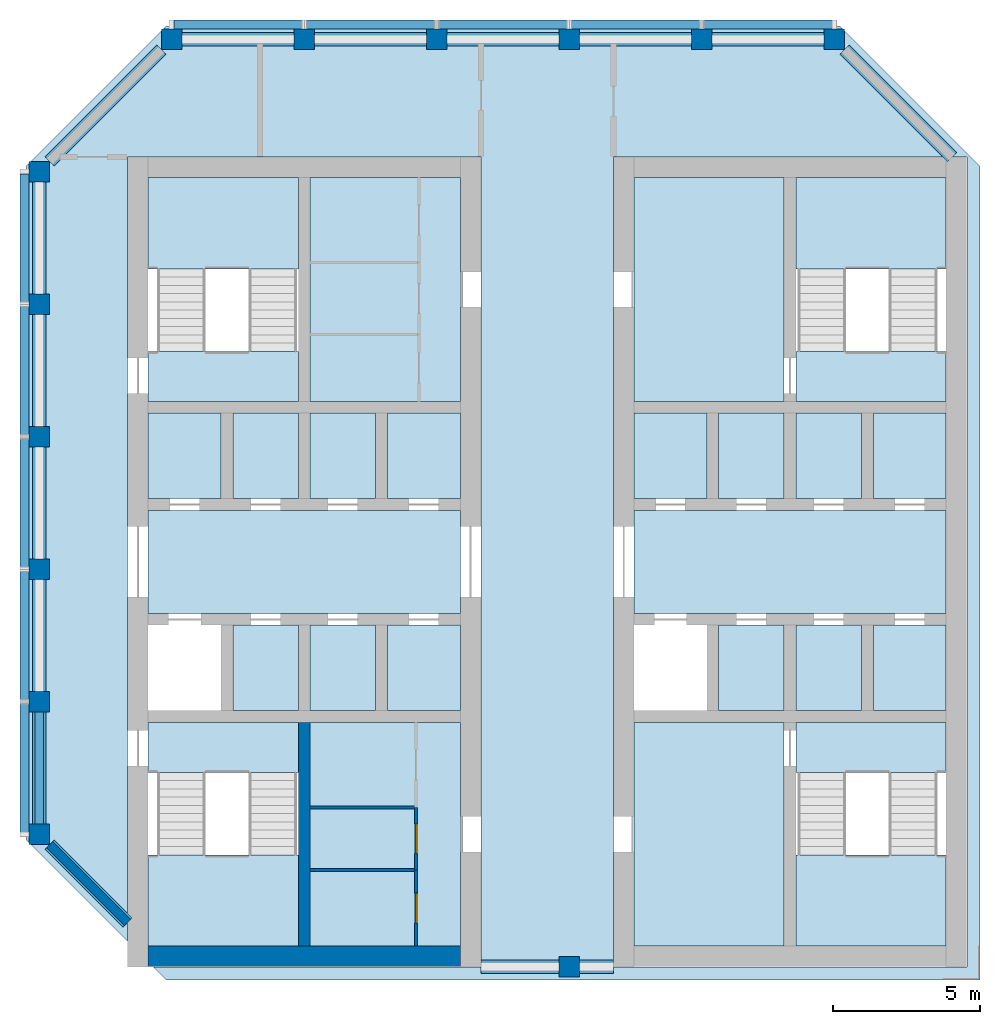
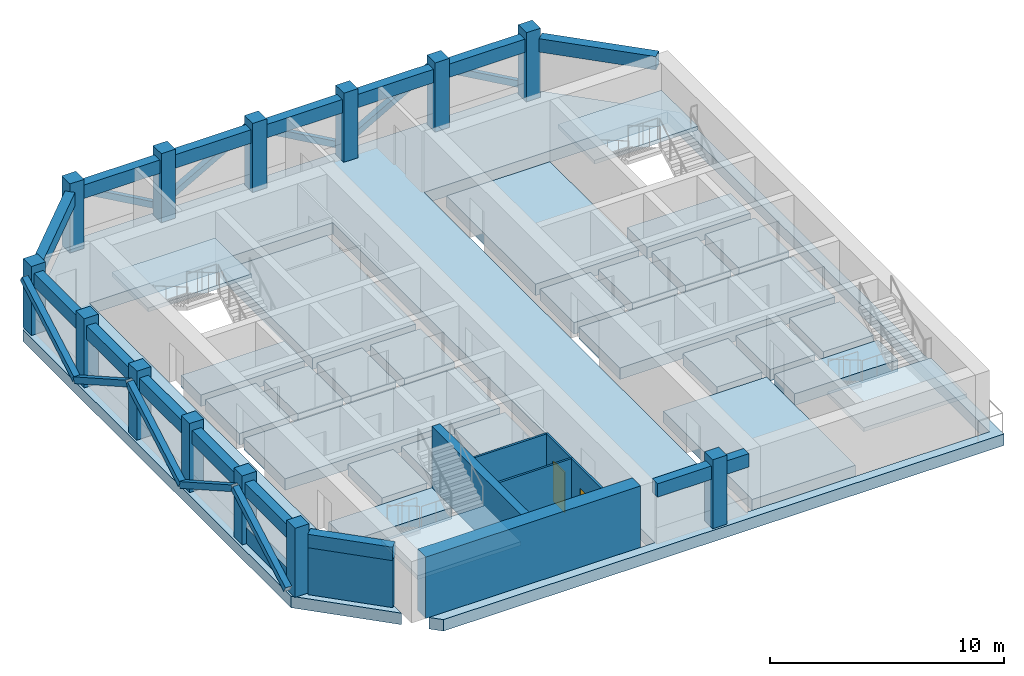
# One storey, part 1 of 5: 29 slabs, 15 beams, 13 columns, 10 members, 8 walls, 2 doors, 2 openings, 4 elements without a shape of their own.
"""IFC4 building model written with IfcOpenShell, lengths in metres."""

from ifc_helpers import new_model, si_unit, direction, frame, frame_2d, origin, origin_2d, place, context, subcontext, project, spatial, polyline, rectangle, hollow_rectangle, outline, extrude, material, layer, layer_set, material_profile, profile_set, type_object, element, fill, aggregate, save


model = new_model("IFC4")

# Units and contexts
model_context = context("Model", 3, precision=1e-05, world=origin(), true_north=direction((0.0, 1.0)))
body_context = subcontext(model_context, "Body", "Model", "MODEL_VIEW")
ifc_project = project(units=[si_unit("LENGTHUNIT", "METRE"), si_unit("AREAUNIT", "SQUARE_METRE"), si_unit("VOLUMEUNIT", "CUBIC_METRE"), si_unit("PLANEANGLEUNIT", "RADIAN"), si_unit("MASSUNIT", "GRAM", prefix="KILO")], contexts=[model_context])

# Site, building, storey
site_placement = place(None, origin())
site = spatial("IfcSite", under=ifc_project, at=site_placement, CompositionType="ELEMENT")
building_placement = place(site_placement, origin())
building = spatial("IfcBuilding", under=site, at=building_placement, Name="Corbel Stack Research Tower", CompositionType="ELEMENT")
storey_placement = place(building_placement, frame((0.0, 0.0, 326.199951171875)))
storey = spatial("IfcBuildingStorey", under=building, at=storey_placement, Name="L73", CompositionType="ELEMENT", Elevation=326.199951171875)

# Columns
ifc_material_1 = material(Name="Concrete C60/75", Category="concrete")
ifc_material_profile_1 = material_profile(ifc_material_1, rectangle(XDim=0.699951171875, YDim=0.699951171875, at=origin_2d()), Name="RC 700 x 700")
ifc_profile_set_1 = profile_set([ifc_material_profile_1], Name="Concrete C60/75")
column_type = type_object("IfcColumnType", Name="C-700-60", PredefinedType="COLUMN", material=ifc_profile_set_1)
for number, where, z_axis, x_axis, name in (
    (1, (-13.5, -4.5, 0.0), (0.0, 0.0, 1.0), (1.0, 0.0, 0.0), "Column 5/G L73"),
    (2, (-13.5, 0.0, 0.0), (0.0, 0.0, 1.0), (1.0, 0.0, 0.0), "Column 5/H L73"),
    (3, (-13.5, 4.5, 0.0), (0.0, 0.0, 1.0), (1.0, 0.0, 0.0), "Column 5/J L73"),
    (4, (-13.5, 9.0, 0.0), (0.0, 0.0, 1.0), (1.0, 0.0, 0.0), "Column 5/K L73"),
    (5, (-13.5, 13.5, 0.0), (0.0, 0.0, 1.0), (1.0, 0.0, 0.0), "Column 5/L L73"),
    (6, (-13.5, 18.0, 0.0), (0.0, 0.0, 1.0), (1.0, 0.0, 0.0), "Column 5/M L73"),
    (7, (-9.0, 22.5, 0.0), (0.0, 0.0, 1.0), (1.0, 0.0, 0.0), "Column 6/N L73"),
    (8, (-4.5, 22.5, 0.0), (0.0, 0.0, 1.0), (1.0, 0.0, 0.0), "Column 7/N L73"),
    (9, (0.0, 22.5, 0.0), (0.0, 0.0, 1.0), (1.0, 0.0, 0.0), "Column 8/N L73"),
    (10, (4.5, -9.0, 0.0), (0.0, 0.0, 1.0), (1.0, 0.0, 0.0), "Column 9/F L73"),
    (11, (4.5, 22.5, 0.0), (0.0, 0.0, 1.0), (1.0, 0.0, 0.0), "Column 9/N L73"),
    (12, (9.0, 22.5, 0.0), (0.0, 0.0, 1.0), (1.0, 0.0, 0.0), "Column 10/N L73"),
    (13, (13.5, 22.5, 0.0), (0.0, 0.0, 1.0), (1.0, 0.0, 0.0), "Column 11/N L73"),
):
    element("IfcColumn", number, at=place(storey_placement, frame(where, z_axis=z_axis, x_axis=x_axis)), inside=storey, type_object=column_type, Name=name, PredefinedType="COLUMN", context=body_context, shape_type="SweptSolid", body=[
        extrude(rectangle(XDim=0.699951171875, YDim=0.699951171875, at=origin_2d()), origin(), (0.0, 0.0, 1.0), 3.60009765625),
    ])

# Members
ifc_material_2 = material(Name="Steel S355", Category="steel")
ifc_material_profile_2 = material_profile(ifc_material_2, hollow_rectangle(XDim=0.304931640625, YDim=0.304931640625, WallThickness=0.014892578125, at=origin_2d()), Name="HSS12x12x5/8")
ifc_profile_set_2 = profile_set([ifc_material_profile_2], Name="Steel S355")
member_type = type_object("IfcMemberType", Name="Crown belt brace HSS12x12x5/8", PredefinedType="BRACE", material=ifc_profile_set_2)
for number, where, z_axis, x_axis, name in (
    (14, (13.5, 23.00244140625, 0.300048828125), (-0.870018136573, 0.0, 0.493019717692), (0.0, -1.0, 0.0), "Crown belt brace L73-01"),
    (15, (4.5, 23.00244140625, 0.300048828125), (0.870018136573, 0.0, 0.493019717692), (0.0, 1.0, 0.0), "Crown belt brace L73-02"),
    (16, (4.5, 23.00244140625, 0.300048828125), (-0.870018136573, 0.0, 0.493019717692), (0.0, -1.0, 0.0), "Crown belt brace L73-03"),
    (17, (-4.5, 23.00244140625, 0.300048828125), (0.870018136573, 0.0, 0.493019717692), (0.0, 1.0, 0.0), "Crown belt brace L73-04"),
    (18, (-4.5, 23.00244140625, 0.300048828125), (-0.870018136573, 0.0, 0.493019717692), (0.0, -1.0, 0.0), "Crown belt brace L73-05"),
    (19, (-14.00244140625, 13.5, 0.300048828125), (0.0, 0.870018136573, 0.493019717692), (-1.0, 0.0, 0.0), "Crown belt brace L73-06"),
    (20, (-14.00244140625, 13.5, 0.300048828125), (0.0, -0.870018136573, 0.493019717692), (1.0, 0.0, 0.0), "Crown belt brace L73-07"),
    (21, (-14.00244140625, 4.5, 0.300048828125), (0.0, 0.870018136573, 0.493019717692), (-1.0, 0.0, 0.0), "Crown belt brace L73-08"),
    (22, (-14.00244140625, 4.5, 0.300048828125), (0.0, -0.870018136573, 0.493019717692), (1.0, 0.0, 0.0), "Crown belt brace L73-09"),
    (23, (-14.00244140625, -4.5, 0.300048828125), (0.0, 0.870018136573, 0.493019717692), (-1.0, 0.0, 0.0), "Crown belt brace L73-10"),
):
    element("IfcMember", number, at=place(storey_placement, frame(where, z_axis=z_axis, x_axis=x_axis)), inside=storey, type_object=member_type, Name=name, PredefinedType="BRACE", context=body_context, shape_type="SweptSolid", body=[
        extrude(hollow_rectangle(XDim=0.304931640625, YDim=0.304931640625, WallThickness=0.014892578125, at=origin_2d()), origin(), (0.0, 0.0, 1.0), 5.17236328125),
    ])

# Beams
ifc_material_3 = material(Name="Concrete C60/75", Category="concrete")
ifc_material_profile_3 = material_profile(ifc_material_3, rectangle(XDim=0.449951171875, YDim=0.699951171875, at=origin_2d()), Name="RC 450 x 700")
ifc_profile_set_3 = profile_set([ifc_material_profile_3], Name="Concrete C60/75")
beam_type = type_object("IfcBeamType", Name="SB-450-700", PredefinedType="SPANDREL", material=ifc_profile_set_3)
beam_1_placement = place(storey_placement, frame((1.5, -9.0, 2.85009765625), z_axis=(1.0, 0.0, 0.0), x_axis=(0.0, 1.0, 0.0)))
element("IfcBeam", 24, at=beam_1_placement, inside=storey, type_object=beam_type, Name="Spandrel beam L73-01", PredefinedType="SPANDREL", context=body_context, shape_type="SweptSolid", body=[
    extrude(rectangle(XDim=0.449951171875, YDim=0.699951171875, at=origin_2d()), origin(), (0.0, 0.0, 1.0), 2.64990234375),
])
beam_2_placement = place(storey_placement, frame((4.85009765625, -9.0, 2.85009765625), z_axis=(1.0, 0.0, 0.0), x_axis=(0.0, 1.0, 0.0)))
element("IfcBeam", 25, at=beam_2_placement, inside=storey, type_object=beam_type, Name="Spandrel beam L73-02", PredefinedType="SPANDREL", context=body_context, shape_type="SweptSolid", body=[
    extrude(rectangle(XDim=0.449951171875, YDim=0.699951171875, at=origin_2d()), origin(), (0.0, 0.0, 1.0), 1.14990234375),
])
beam_3_placement = place(storey_placement, frame((17.5, 18.5, 2.85009765625), z_axis=(-0.707106781187, 0.707106781187, 0.0), x_axis=(-0.707106781187, -0.707106781187, 0.0)))
element("IfcBeam", 26, at=beam_3_placement, inside=storey, type_object=beam_type, Name="Spandrel beam L73-03", PredefinedType="SPANDREL", context=body_context, shape_type="SweptSolid", body=[
    extrude(rectangle(XDim=0.449951171875, YDim=0.699951171875, at=origin_2d()), origin(), (0.0, 0.0, 1.0), 5.16162109375),
])
for number, where, z_axis, x_axis, name in (
    (27, (13.14990234375, 22.5, 2.85009765625), (-1.0, 0.0, 0.0), (0.0, -1.0, 0.0), "Spandrel beam L73-04"),
    (28, (8.64990234375, 22.5, 2.85009765625), (-1.0, 0.0, 0.0), (0.0, -1.0, 0.0), "Spandrel beam L73-05"),
    (29, (4.14990234375, 22.5, 2.85009765625), (-1.0, 0.0, 0.0), (0.0, -1.0, 0.0), "Spandrel beam L73-06"),
    (30, (-0.35009765625, 22.5, 2.85009765625), (-1.0, 0.0, 0.0), (0.0, -1.0, 0.0), "Spandrel beam L73-07"),
    (31, (-4.85009765625, 22.5, 2.85009765625), (-1.0, 0.0, 0.0), (0.0, -1.0, 0.0), "Spandrel beam L73-08"),
):
    element("IfcBeam", number, at=place(storey_placement, frame(where, z_axis=z_axis, x_axis=x_axis)), inside=storey, type_object=beam_type, Name=name, PredefinedType="SPANDREL", context=body_context, shape_type="SweptSolid", body=[
        extrude(rectangle(XDim=0.449951171875, YDim=0.699951171875, at=origin_2d()), origin(), (0.0, 0.0, 1.0), 3.7998046875),
    ])
beam_4_placement = place(storey_placement, frame((-9.35009765625, 22.14990234375, 2.85009765625), z_axis=(-0.707106781187, -0.707106781187, 0.0), x_axis=(0.707106781187, -0.707106781187, 0.0)))
element("IfcBeam", 32, at=beam_4_placement, inside=storey, type_object=beam_type, Name="Spandrel beam L73-09", PredefinedType="SPANDREL", context=body_context, shape_type="SweptSolid", body=[
    extrude(rectangle(XDim=0.449951171875, YDim=0.699951171875, at=origin_2d()), origin(), (0.0, 0.0, 1.0), 5.373779296875),
])
for number, where, z_axis, x_axis, name in (
    (33, (-13.5, 17.64990234375, 2.85009765625), (0.0, -1.0, 0.0), (1.0, 0.0, 0.0), "Spandrel beam L73-10"),
    (34, (-13.5, 13.14990234375, 2.85009765625), (0.0, -1.0, 0.0), (1.0, 0.0, 0.0), "Spandrel beam L73-11"),
    (35, (-13.5, 8.64990234375, 2.85009765625), (0.0, -1.0, 0.0), (1.0, 0.0, 0.0), "Spandrel beam L73-12"),
    (36, (-13.5, 4.14990234375, 2.85009765625), (0.0, -1.0, 0.0), (1.0, 0.0, 0.0), "Spandrel beam L73-13"),
    (37, (-13.5, -0.35009765625, 2.85009765625), (0.0, -1.0, 0.0), (1.0, 0.0, 0.0), "Spandrel beam L73-14"),
):
    element("IfcBeam", number, at=place(storey_placement, frame(where, z_axis=z_axis, x_axis=x_axis)), inside=storey, type_object=beam_type, Name=name, PredefinedType="SPANDREL", context=body_context, shape_type="SweptSolid", body=[
        extrude(rectangle(XDim=0.449951171875, YDim=0.699951171875, at=origin_2d()), origin(), (0.0, 0.0, 1.0), 3.7998046875),
    ])
beam_5_placement = place(storey_placement, frame((-13.14990234375, -4.85009765625, 2.85009765625), z_axis=(0.707106781187, -0.707106781187, 0.0), x_axis=(0.707106781187, 0.707106781187, 0.0)))
element("IfcBeam", 38, at=beam_5_placement, inside=storey, type_object=beam_type, Name="Spandrel beam L73-15", PredefinedType="SPANDREL", context=body_context, shape_type="SweptSolid", body=[
    extrude(rectangle(XDim=0.449951171875, YDim=0.699951171875, at=origin_2d()), origin(), (0.0, 0.0, 1.0), 3.74755859375),
])

# Slabs
ifc_material_4 = material(Name="Concrete C45/55", Category="concrete")
ifc_layer_1 = layer(ifc_material_4, 0.60009765625)
ifc_layer_set_1 = layer_set([ifc_layer_1], Name="Concrete C45/55")
slab_type_1 = type_object("IfcSlabType", Name="PT-600", PredefinedType="FLOOR", material=ifc_layer_set_1)
slab_1_placement = place(storey_placement, frame((0.0, 0.0, -0.599853515625)))
element("IfcSlab", 39, at=slab_1_placement, inside=storey, type_object=slab_type_1, Name="Floor slab L73", PredefinedType="FLOOR", context=body_context, shape_type="SweptSolid", body=[
    extrude(outline(polyline([(-10.5, -8.136474609375), (-10.5, 18.5), (1.5, 18.5), (1.5, -9.0), (-9.636474609375, -9.0), (-9.186279296875, -9.449951171875), (18.449951171875, -9.449951171875), (18.449951171875, 18.186279296875), (13.686279296875, 22.949951171875), (-9.186279296875, 22.949951171875), (-13.949951171875, 18.186279296875), (-13.949951171875, -4.686279296875), (-10.5, -8.136474609375)]), holes=[polyline([(6.0, -9.0), (6.0, 18.5), (18.0, 18.5), (18.0, -9.0), (6.0, -9.0)])]), origin(), (0.0, 0.0, 1.0), 0.599853515625),
])
slab_2_placement = place(storey_placement, frame((0.0, 0.0, -0.599853515625)))
element("IfcSlab", 40, at=slab_2_placement, inside=storey, type_object=slab_type_1, Name="West core floor L73", PredefinedType="FLOOR", context=body_context, shape_type="SweptSolid", body=[
    extrude(outline(polyline([(-9.800048828125, 6.5), (-9.800048828125, 3.0), (0.800048828125, 3.0), (0.800048828125, 6.5), (-9.800048828125, 6.5)])), origin(), (0.0, 0.0, 1.0), 0.599853515625),
])
slab_3_placement = place(storey_placement, frame((0.0, 0.0, -0.599853515625)))
element("IfcSlab", 41, at=slab_3_placement, inside=storey, type_object=slab_type_1, Name="West core floor L73", PredefinedType="FLOOR", context=body_context, shape_type="SweptSolid", body=[
    extrude(outline(polyline([(-9.800048828125, 6.89990234375), (-7.324951171875, 6.89990234375), (-7.324951171875, 9.800048828125), (-9.800048828125, 9.800048828125), (-9.800048828125, 6.89990234375)])), origin(), (0.0, 0.0, 1.0), 0.599853515625),
])
slab_4_placement = place(storey_placement, frame((0.0, 0.0, -0.599853515625)))
element("IfcSlab", 42, at=slab_4_placement, inside=storey, type_object=slab_type_1, Name="West core floor L73", PredefinedType="FLOOR", context=body_context, shape_type="SweptSolid", body=[
    extrude(outline(polyline([(-6.925048828125, 2.60009765625), (-6.925048828125, -0.300048828125), (-4.699951171875, -0.300048828125), (-4.699951171875, 2.60009765625), (-6.925048828125, 2.60009765625)])), origin(), (0.0, 0.0, 1.0), 0.599853515625),
])
slab_5_placement = place(storey_placement, frame((0.0, 0.0, -0.599853515625)))
element("IfcSlab", 43, at=slab_5_placement, inside=storey, type_object=slab_type_1, Name="West core floor L73", PredefinedType="FLOOR", context=body_context, shape_type="SweptSolid", body=[
    extrude(outline(polyline([(-6.925048828125, 6.89990234375), (-4.699951171875, 6.89990234375), (-4.699951171875, 9.800048828125), (-6.925048828125, 9.800048828125), (-6.925048828125, 6.89990234375)])), origin(), (0.0, 0.0, 1.0), 0.599853515625),
])
slab_6_placement = place(storey_placement, frame((0.0, 0.0, -0.599853515625)))
element("IfcSlab", 44, at=slab_6_placement, inside=storey, type_object=slab_type_1, Name="West core floor L73", PredefinedType="FLOOR", context=body_context, shape_type="SweptSolid", body=[
    extrude(outline(polyline([(-4.300048828125, -0.699951171875), (-4.300048828125, -8.300048828125), (0.800048828125, -8.300048828125), (0.800048828125, -0.699951171875), (-4.300048828125, -0.699951171875)])), origin(), (0.0, 0.0, 1.0), 0.599853515625),
])
slab_7_placement = place(storey_placement, frame((0.0, 0.0, -0.599853515625)))
element("IfcSlab", 45, at=slab_7_placement, inside=storey, type_object=slab_type_1, Name="West core floor L73", PredefinedType="FLOOR", context=body_context, shape_type="SweptSolid", body=[
    extrude(outline(polyline([(-4.300048828125, 2.60009765625), (-4.300048828125, -0.300048828125), (-2.074951171875, -0.300048828125), (-2.074951171875, 2.60009765625), (-4.300048828125, 2.60009765625)])), origin(), (0.0, 0.0, 1.0), 0.599853515625),
])
slab_8_placement = place(storey_placement, frame((0.0, 0.0, -0.599853515625)))
element("IfcSlab", 46, at=slab_8_placement, inside=storey, type_object=slab_type_1, Name="West core floor L73", PredefinedType="FLOOR", context=body_context, shape_type="SweptSolid", body=[
    extrude(outline(polyline([(-2.074951171875, 6.89990234375), (-2.074951171875, 9.800048828125), (-4.300048828125, 9.800048828125), (-4.300048828125, 6.89990234375), (-2.074951171875, 6.89990234375)])), origin(), (0.0, 0.0, 1.0), 0.599853515625),
])
slab_9_placement = place(storey_placement, frame((0.0, 0.0, -0.599853515625)))
element("IfcSlab", 47, at=slab_9_placement, inside=storey, type_object=slab_type_1, Name="West core floor L73", PredefinedType="FLOOR", context=body_context, shape_type="SweptSolid", body=[
    extrude(outline(polyline([(-4.300048828125, 17.800048828125), (-4.300048828125, 10.199951171875), (0.800048828125, 10.199951171875), (0.800048828125, 17.800048828125), (-4.300048828125, 17.800048828125)])), origin(), (0.0, 0.0, 1.0), 0.599853515625),
])
slab_10_placement = place(storey_placement, frame((0.0, 0.0, -0.599853515625)))
element("IfcSlab", 48, at=slab_10_placement, inside=storey, type_object=slab_type_1, Name="West core floor L73", PredefinedType="FLOOR", context=body_context, shape_type="SweptSolid", body=[
    extrude(outline(polyline([(-1.675048828125, 2.60009765625), (-1.675048828125, -0.300048828125), (0.800048828125, -0.300048828125), (0.800048828125, 2.60009765625), (-1.675048828125, 2.60009765625)])), origin(), (0.0, 0.0, 1.0), 0.599853515625),
])
slab_11_placement = place(storey_placement, frame((0.0, 0.0, -0.599853515625)))
element("IfcSlab", 49, at=slab_11_placement, inside=storey, type_object=slab_type_1, Name="West core floor L73", PredefinedType="FLOOR", context=body_context, shape_type="SweptSolid", body=[
    extrude(outline(polyline([(0.800048828125, 6.89990234375), (0.800048828125, 9.800048828125), (-1.675048828125, 9.800048828125), (-1.675048828125, 6.89990234375), (0.800048828125, 6.89990234375)])), origin(), (0.0, 0.0, 1.0), 0.599853515625),
])
slab_12_placement = place(storey_placement, frame((0.0, 0.0, -0.599853515625)))
element("IfcSlab", 50, at=slab_12_placement, inside=storey, type_object=slab_type_1, Name="East core floor L73", PredefinedType="FLOOR", context=body_context, shape_type="SweptSolid", body=[
    extrude(outline(polyline([(6.699951171875, -8.300048828125), (11.800048828125, -8.300048828125), (11.800048828125, -0.699951171875), (6.699951171875, -0.699951171875), (6.699951171875, -8.300048828125)])), origin(), (0.0, 0.0, 1.0), 0.599853515625),
])
slab_13_placement = place(storey_placement, frame((0.0, 0.0, -0.599853515625)))
element("IfcSlab", 51, at=slab_13_placement, inside=storey, type_object=slab_type_1, Name="East core floor L73", PredefinedType="FLOOR", context=body_context, shape_type="SweptSolid", body=[
    extrude(outline(polyline([(6.699951171875, 3.0), (17.300048828125, 3.0), (17.300048828125, 6.5), (6.699951171875, 6.5), (6.699951171875, 3.0)])), origin(), (0.0, 0.0, 1.0), 0.599853515625),
])
slab_14_placement = place(storey_placement, frame((0.0, 0.0, -0.599853515625)))
element("IfcSlab", 52, at=slab_14_placement, inside=storey, type_object=slab_type_1, Name="East core floor L73", PredefinedType="FLOOR", context=body_context, shape_type="SweptSolid", body=[
    extrude(outline(polyline([(6.699951171875, 6.89990234375), (9.175048828125, 6.89990234375), (9.175048828125, 9.800048828125), (6.699951171875, 9.800048828125), (6.699951171875, 6.89990234375)])), origin(), (0.0, 0.0, 1.0), 0.599853515625),
])
slab_15_placement = place(storey_placement, frame((0.0, 0.0, -0.599853515625)))
element("IfcSlab", 53, at=slab_15_placement, inside=storey, type_object=slab_type_1, Name="East core floor L73", PredefinedType="FLOOR", context=body_context, shape_type="SweptSolid", body=[
    extrude(outline(polyline([(6.699951171875, 10.199951171875), (11.800048828125, 10.199951171875), (11.800048828125, 17.800048828125), (6.699951171875, 17.800048828125), (6.699951171875, 10.199951171875)])), origin(), (0.0, 0.0, 1.0), 0.599853515625),
])
slab_16_placement = place(storey_placement, frame((0.0, 0.0, -0.599853515625)))
element("IfcSlab", 54, at=slab_16_placement, inside=storey, type_object=slab_type_1, Name="East core floor L73", PredefinedType="FLOOR", context=body_context, shape_type="SweptSolid", body=[
    extrude(outline(polyline([(9.574951171875, 2.60009765625), (9.574951171875, -0.300048828125), (11.800048828125, -0.300048828125), (11.800048828125, 2.60009765625), (9.574951171875, 2.60009765625)])), origin(), (0.0, 0.0, 1.0), 0.599853515625),
])
slab_17_placement = place(storey_placement, frame((0.0, 0.0, -0.599853515625)))
element("IfcSlab", 55, at=slab_17_placement, inside=storey, type_object=slab_type_1, Name="East core floor L73", PredefinedType="FLOOR", context=body_context, shape_type="SweptSolid", body=[
    extrude(outline(polyline([(9.574951171875, 6.89990234375), (11.800048828125, 6.89990234375), (11.800048828125, 9.800048828125), (9.574951171875, 9.800048828125), (9.574951171875, 6.89990234375)])), origin(), (0.0, 0.0, 1.0), 0.599853515625),
])
slab_18_placement = place(storey_placement, frame((0.0, 0.0, -0.599853515625)))
element("IfcSlab", 56, at=slab_18_placement, inside=storey, type_object=slab_type_1, Name="East core floor L73", PredefinedType="FLOOR", context=body_context, shape_type="SweptSolid", body=[
    extrude(outline(polyline([(12.199951171875, 2.60009765625), (12.199951171875, -0.300048828125), (14.425048828125, -0.300048828125), (14.425048828125, 2.60009765625), (12.199951171875, 2.60009765625)])), origin(), (0.0, 0.0, 1.0), 0.599853515625),
])
slab_19_placement = place(storey_placement, frame((0.0, 0.0, -0.599853515625)))
element("IfcSlab", 57, at=slab_19_placement, inside=storey, type_object=slab_type_1, Name="East core floor L73", PredefinedType="FLOOR", context=body_context, shape_type="SweptSolid", body=[
    extrude(outline(polyline([(14.425048828125, 6.89990234375), (14.425048828125, 9.800048828125), (12.199951171875, 9.800048828125), (12.199951171875, 6.89990234375), (14.425048828125, 6.89990234375)])), origin(), (0.0, 0.0, 1.0), 0.599853515625),
])
slab_20_placement = place(storey_placement, frame((0.0, 0.0, -0.599853515625)))
element("IfcSlab", 58, at=slab_20_placement, inside=storey, type_object=slab_type_1, Name="East core floor L73", PredefinedType="FLOOR", context=body_context, shape_type="SweptSolid", body=[
    extrude(outline(polyline([(14.824951171875, 2.60009765625), (14.824951171875, -0.300048828125), (17.300048828125, -0.300048828125), (17.300048828125, 2.60009765625), (14.824951171875, 2.60009765625)])), origin(), (0.0, 0.0, 1.0), 0.599853515625),
])
slab_21_placement = place(storey_placement, frame((0.0, 0.0, -0.599853515625)))
element("IfcSlab", 59, at=slab_21_placement, inside=storey, type_object=slab_type_1, Name="East core floor L73", PredefinedType="FLOOR", context=body_context, shape_type="SweptSolid", body=[
    extrude(outline(polyline([(17.300048828125, 6.89990234375), (17.300048828125, 9.800048828125), (14.824951171875, 9.800048828125), (14.824951171875, 6.89990234375), (17.300048828125, 6.89990234375)])), origin(), (0.0, 0.0, 1.0), 0.599853515625),
])
slab_22_placement = place(storey_placement, frame((0.0, 0.0, -0.599853515625)))
element("IfcSlab", 60, at=slab_22_placement, inside=storey, type_object=slab_type_1, Name="Stair floor landing ST-W1", PredefinedType="FLOOR", context=body_context, shape_type="SweptSolid", body=[
    extrude(outline(polyline([(-9.800048828125, -2.39990234375), (-4.699951171875, -2.39990234375), (-4.699951171875, -0.699951171875), (-9.800048828125, -0.699951171875), (-9.800048828125, -2.39990234375)])), origin(), (0.0, 0.0, 1.0), 0.599853515625),
])
slab_23_placement = place(storey_placement, frame((0.0, 0.0, -0.599853515625)))
element("IfcSlab", 61, at=slab_23_placement, inside=storey, type_object=slab_type_1, Name="Stair floor landing ST-W2", PredefinedType="FLOOR", context=body_context, shape_type="SweptSolid", body=[
    extrude(outline(polyline([(-9.800048828125, 10.199951171875), (-4.699951171875, 10.199951171875), (-4.699951171875, 11.89990234375), (-9.800048828125, 11.89990234375), (-9.800048828125, 10.199951171875)])), origin(), (0.0, 0.0, 1.0), 0.599853515625),
])
slab_24_placement = place(storey_placement, frame((0.0, 0.0, -0.599853515625)))
element("IfcSlab", 62, at=slab_24_placement, inside=storey, type_object=slab_type_1, Name="Stair floor landing ST-E1", PredefinedType="FLOOR", context=body_context, shape_type="SweptSolid", body=[
    extrude(outline(polyline([(12.199951171875, -2.39990234375), (17.300048828125, -2.39990234375), (17.300048828125, -0.699951171875), (12.199951171875, -0.699951171875), (12.199951171875, -2.39990234375)])), origin(), (0.0, 0.0, 1.0), 0.599853515625),
])
slab_25_placement = place(storey_placement, frame((0.0, 0.0, -0.599853515625)))
element("IfcSlab", 63, at=slab_25_placement, inside=storey, type_object=slab_type_1, Name="Stair floor landing ST-E2", PredefinedType="FLOOR", context=body_context, shape_type="SweptSolid", body=[
    extrude(outline(polyline([(12.199951171875, 10.199951171875), (17.300048828125, 10.199951171875), (17.300048828125, 11.89990234375), (12.199951171875, 11.89990234375), (12.199951171875, 10.199951171875)])), origin(), (0.0, 0.0, 1.0), 0.599853515625),
])

# Stair, slab
ifc_material_5 = material(Name="Concrete C40/50", Category="concrete")
stair_type = type_object("IfcStairType", Name="Exit stair 22 risers", PredefinedType="HALF_TURN_STAIR", material=ifc_material_5)
stair_1_placement = place(storey_placement, origin())
stair_1 = element("IfcStair", 64, at=stair_1_placement, inside=storey, type_object=stair_type, Name="L73 Exit stair ST-W1", PredefinedType="HALF_TURN_STAIR")
ifc_material_6 = material(Name="Concrete C40/50", Category="concrete")
ifc_layer_2 = layer(ifc_material_6, 0.199951171875)
ifc_layer_set_2 = layer_set([ifc_layer_2], Name="Concrete C40/50")
slab_type_2 = type_object("IfcSlabType", Name="Stair landing 200 C40/50", PredefinedType="LANDING", material=ifc_layer_set_2)
slab_26_placement = place(storey_placement, frame((0.0, 0.0, 1.60009765625)))
slab_26 = element("IfcSlab", 65, at=slab_26_placement, type_object=slab_type_2, Name="ST-W1 landing 1", PredefinedType="LANDING", context=body_context, shape_type="SweptSolid", body=[
    extrude(outline(polyline([(-9.800048828125, -8.300048828125), (-9.800048828125, -5.199951171875), (-4.699951171875, -5.199951171875), (-4.699951171875, -8.300048828125), (-9.800048828125, -8.300048828125)])), origin(), (0.0, 0.0, 1.0), 0.199951171875),
])
aggregate(stair_1, [slab_26])

stair_2_placement = place(storey_placement, origin())
stair_2 = element("IfcStair", 66, at=stair_2_placement, inside=storey, type_object=stair_type, Name="L73 Exit stair ST-W2", PredefinedType="HALF_TURN_STAIR")
slab_27_placement = place(storey_placement, frame((0.0, 0.0, 1.60009765625)))
slab_27 = element("IfcSlab", 67, at=slab_27_placement, type_object=slab_type_2, Name="ST-W2 landing 1", PredefinedType="LANDING", context=body_context, shape_type="SweptSolid", body=[
    extrude(outline(polyline([(-9.800048828125, 14.699951171875), (-9.800048828125, 17.800048828125), (-4.699951171875, 17.800048828125), (-4.699951171875, 14.699951171875), (-9.800048828125, 14.699951171875)])), origin(), (0.0, 0.0, 1.0), 0.199951171875),
])
aggregate(stair_2, [slab_27])

stair_3_placement = place(storey_placement, origin())
stair_3 = element("IfcStair", 68, at=stair_3_placement, inside=storey, type_object=stair_type, Name="L73 Exit stair ST-E1", PredefinedType="HALF_TURN_STAIR")
slab_28_placement = place(storey_placement, frame((0.0, 0.0, 1.60009765625)))
slab_28 = element("IfcSlab", 69, at=slab_28_placement, type_object=slab_type_2, Name="ST-E1 landing 1", PredefinedType="LANDING", context=body_context, shape_type="SweptSolid", body=[
    extrude(outline(polyline([(12.199951171875, -8.300048828125), (12.199951171875, -5.199951171875), (17.300048828125, -5.199951171875), (17.300048828125, -8.300048828125), (12.199951171875, -8.300048828125)])), origin(), (0.0, 0.0, 1.0), 0.199951171875),
])
aggregate(stair_3, [slab_28])

stair_4_placement = place(storey_placement, origin())
stair_4 = element("IfcStair", 70, at=stair_4_placement, inside=storey, type_object=stair_type, Name="L73 Exit stair ST-E2", PredefinedType="HALF_TURN_STAIR")
slab_29_placement = place(storey_placement, frame((0.0, 0.0, 1.60009765625)))
slab_29 = element("IfcSlab", 71, at=slab_29_placement, type_object=slab_type_2, Name="ST-E2 landing 1", PredefinedType="LANDING", context=body_context, shape_type="SweptSolid", body=[
    extrude(outline(polyline([(12.199951171875, 14.699951171875), (12.199951171875, 17.800048828125), (17.300048828125, 17.800048828125), (17.300048828125, 14.699951171875), (12.199951171875, 14.699951171875)])), origin(), (0.0, 0.0, 1.0), 0.199951171875),
])
aggregate(stair_4, [slab_29])

# Walls
ifc_material_7 = material(Name="Concrete C60/75", Category="concrete")
ifc_layer_3 = layer(ifc_material_7, 0.39990234375)
ifc_layer_set_3 = layer_set([ifc_layer_3], Name="Concrete C60/75")
wall_type_1 = type_object("IfcWallType", Name="CW-400-60", PredefinedType="SHEAR", material=ifc_layer_set_3)
wall_1_placement = place(storey_placement, frame((-4.5, -8.300048828125, 0.0), z_axis=(0.0, 0.0, 1.0), x_axis=(0.0, 1.0, 0.0)))
element("IfcWall", 72, at=wall_1_placement, inside=storey, type_object=wall_type_1, Name="West core wall, south stair and WC L73", PredefinedType="SHEAR", context=body_context, shape_type="SweptSolid", body=[
    extrude(rectangle(XDim=7.60009765625, YDim=0.39990234375, at=frame_2d((3.800048828125, 0.0))), origin(), (0.0, 0.0, 1.0), 3.199951171875),
])
ifc_material_8 = material(Name="Concrete C60/75", Category="concrete")
ifc_layer_4 = layer(ifc_material_8, 0.699951171875)
ifc_layer_set_4 = layer_set([ifc_layer_4], Name="Concrete C60/75")
wall_type_2 = type_object("IfcWallType", Name="CW-700-60", PredefinedType="SHEAR", material=ifc_layer_set_4)
wall_2_placement = place(storey_placement, frame((-9.800048828125, -8.64990234375, 0.0), z_axis=(0.0, 0.0, 1.0), x_axis=(1.0, 0.0, 0.0)))
element("IfcWall", 73, at=wall_2_placement, inside=storey, type_object=wall_type_2, Name="West core wall, south end L73", PredefinedType="SHEAR", context=body_context, shape_type="SweptSolid", body=[
    extrude(rectangle(XDim=10.60009765625, YDim=0.699951171875, at=frame_2d((5.300048828125, 0.0))), origin(), (0.0, 0.0, 1.0), 3.199951171875),
])

# Wall, opening, door
ifc_material_9 = material(Name="Gypsum board")
ifc_layer_5 = layer(ifc_material_9, 0.10009765625)
ifc_layer_set_5 = layer_set([ifc_layer_5], Name="Gypsum board")
wall_type_3 = type_object("IfcWallType", Name="Core partition 100", PredefinedType="PARTITIONING", material=ifc_layer_set_5)
wall_3_placement = place(storey_placement, frame((-0.699951171875, -8.300048828125, 0.0), z_axis=(0.0, 0.0, 1.0), x_axis=(0.0, 1.0, 0.0)))
wall_3 = element("IfcWall", 74, at=wall_3_placement, inside=storey, type_object=wall_type_3, Name="Core partition W", PredefinedType="PARTITIONING", context=body_context, shape_type="SweptSolid", body=[
    extrude(rectangle(XDim=2.583984375, YDim=0.10009765625, at=frame_2d((1.2919921875, 0.0))), origin(), (0.0, 0.0, 1.0), 3.199951171875),
])
opening_1_placement = place(wall_3_placement, frame((0.7919921875, 0.0, 0.0)))
opening_1 = element("IfcOpeningElement", 75, at=opening_1_placement, cuts=wall_3, Name="Opening CR-W12-W2-1000", PredefinedType="OPENING", context=body_context, shape_type="SweptSolid", body=[
    extrude(rectangle(XDim=1.0, YDim=2.10009765625, at=frame_2d((0.5, 1.050048828125))), frame((0.0, 0.06005859375, 0.0), z_axis=(0.0, -1.0, 0.0), x_axis=(1.0, 0.0, 0.0)), (0.0, 0.0, 1.0), 0.1201171875),
])
ifc_material_10 = material(Name="Painted timber door", Category="wood")
door_type_1 = type_object("IfcDoorType", Name="WC door 1000 x 2100 right hand", OperationType="SINGLE_SWING_RIGHT", PredefinedType="DOOR", material=ifc_material_10)
door_1_placement = place(opening_1_placement, origin())
door_1 = element("IfcDoor", 76, at=door_1_placement, inside=storey, type_object=door_type_1, Name="Men's WC door W core", OperationType="SINGLE_SWING_RIGHT", OverallHeight=2.10009765625, OverallWidth=1.0, PredefinedType="DOOR", context=body_context, shape_type="SweptSolid", body=[
    extrude(rectangle(XDim=1.0, YDim=2.10009765625, at=frame_2d((0.5, 1.050048828125))), frame((0.0, 0.02490234375, 0.0), z_axis=(0.0, -1.0, 0.0), x_axis=(1.0, 0.0, 0.0)), (0.0, 0.0, 1.0), 0.050048828125),
])
fill(opening_1, door_1)

wall_4_placement = place(storey_placement, frame((-0.699951171875, -5.716064453125, 0.0), z_axis=(0.0, 0.0, 1.0), x_axis=(0.0, 1.0, 0.0)))
wall_4 = element("IfcWall", 77, at=wall_4_placement, inside=storey, type_object=wall_type_3, Name="Core partition W", PredefinedType="PARTITIONING", context=body_context, shape_type="SweptSolid", body=[
    extrude(rectangle(XDim=2.128173828125, YDim=0.10009765625, at=frame_2d((1.06396484375, 0.0))), origin(), (0.0, 0.0, 1.0), 3.199951171875),
])
opening_2_placement = place(wall_4_placement, frame((0.56396484375, 0.0, 0.0)))
opening_2 = element("IfcOpeningElement", 78, at=opening_2_placement, cuts=wall_4, Name="Opening CR-W12-W3-1000", PredefinedType="OPENING", context=body_context, shape_type="SweptSolid", body=[
    extrude(rectangle(XDim=1.0, YDim=2.10009765625, at=frame_2d((0.5, 1.050048828125))), frame((0.0, 0.06005859375, 0.0), z_axis=(0.0, -1.0, 0.0), x_axis=(1.0, 0.0, 0.0)), (0.0, 0.0, 1.0), 0.1201171875),
])
ifc_material_11 = material(Name="Painted timber door", Category="wood")
door_type_2 = type_object("IfcDoorType", Name="WC door 1000 x 2100 left hand", OperationType="SINGLE_SWING_LEFT", PredefinedType="DOOR", material=ifc_material_11)
door_2_placement = place(opening_2_placement, origin())
door_2 = element("IfcDoor", 79, at=door_2_placement, inside=storey, type_object=door_type_2, Name="Accessible WC door W core", OperationType="SINGLE_SWING_LEFT", OverallHeight=2.10009765625, OverallWidth=1.0, PredefinedType="DOOR", context=body_context, shape_type="SweptSolid", body=[
    extrude(rectangle(XDim=1.0, YDim=2.10009765625, at=frame_2d((0.5, 1.050048828125))), frame((0.0, 0.02490234375, 0.0), z_axis=(0.0, -1.0, 0.0), x_axis=(1.0, 0.0, 0.0)), (0.0, 0.0, 1.0), 0.050048828125),
])
fill(opening_2, door_2)

# Walls
for number, where, z_axis, x_axis, name in (
    (80, (-4.300048828125, -5.716064453125, 0.0), (0.0, 0.0, 1.0), (1.0, 0.0, 0.0), "Core partition W"),
    (81, (-4.300048828125, -3.587890625, 0.0), (0.0, 0.0, 1.0), (1.0, 0.0, 0.0), "Core partition W"),
):
    element("IfcWall", number, at=place(storey_placement, frame(where, z_axis=z_axis, x_axis=x_axis)), inside=storey, type_object=wall_type_3, Name=name, PredefinedType="PARTITIONING", context=body_context, shape_type="SweptSolid", body=[
        extrude(rectangle(XDim=3.60009765625, YDim=0.10009765625, at=frame_2d((1.800048828125, 0.0))), origin(), (0.0, 0.0, 1.0), 3.199951171875),
    ])
ifc_material_12 = material(Name="Concrete C45/55", Category="concrete")
ifc_layer_6 = layer(ifc_material_12, 0.300048828125)
ifc_layer_set_6 = layer_set([ifc_layer_6], Name="Concrete C45/55")
wall_type_4 = type_object("IfcWallType", Name="Precast plant wall 300 C45/55", PredefinedType="SOLIDWALL", material=ifc_layer_set_6)
wall_5_placement = place(storey_placement, frame((-13.5, -0.35009765625, 0.0), z_axis=(0.0, 0.0, 1.0), x_axis=(0.0, -1.0, 0.0)))
element("IfcWall", 82, at=wall_5_placement, inside=storey, type_object=wall_type_4, Name="Plant wall base L73-14", PredefinedType="SOLIDWALL", context=body_context, shape_type="SweptSolid", body=[
    extrude(rectangle(XDim=3.7998046875, YDim=0.300048828125, at=frame_2d((1.89990234375, 0.0))), origin(), (0.0, 0.0, 1.0), 0.85009765625),
])
wall_6_placement = place(storey_placement, frame((-13.14990234375, -4.85009765625, 0.0), z_axis=(0.0, 0.0, 1.0), x_axis=(0.707106781187, -0.707106781187, 0.0)))
element("IfcWall", 83, at=wall_6_placement, inside=storey, type_object=wall_type_4, Name="Plant wall L73-15", PredefinedType="SOLIDWALL", context=body_context, shape_type="SweptSolid", body=[
    extrude(rectangle(XDim=3.74755859375, YDim=0.300048828125, at=frame_2d((1.873779296875, 0.0))), origin(), (0.0, 0.0, 1.0), 2.5),
])

save(model, "model.ifc")
